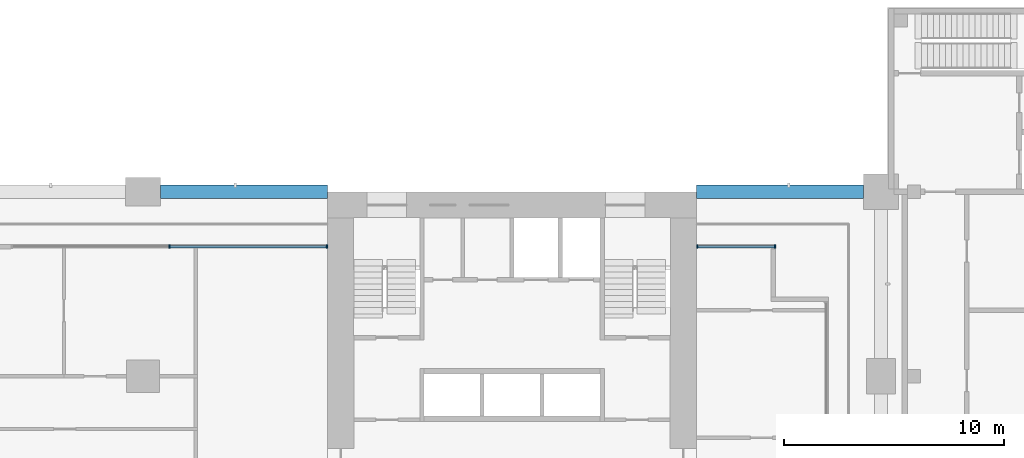
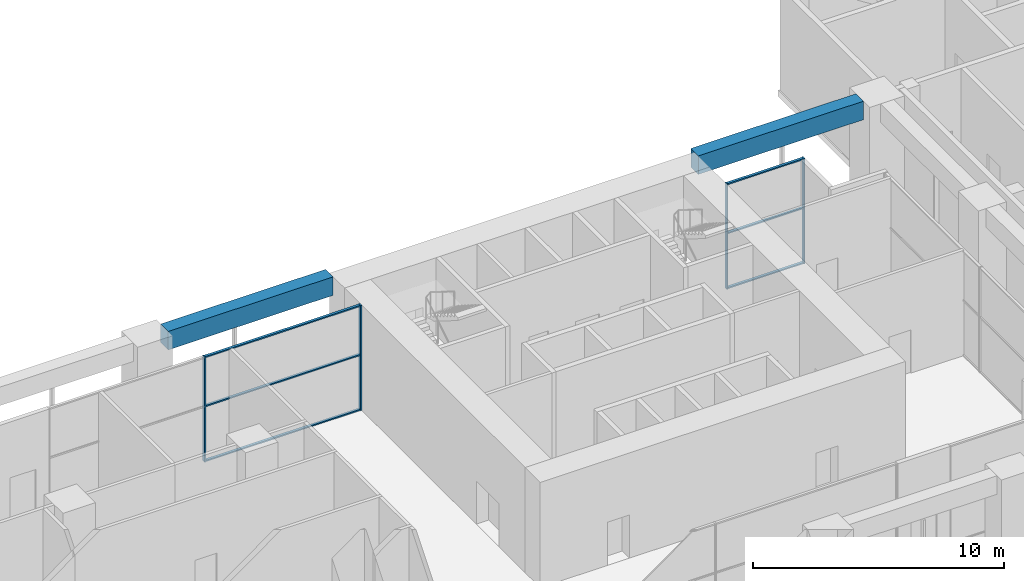
# One storey, part 8 of 32: 10 members, 2 beams, 2 elements without a shape of their own.
"""IFC4 building model written with IfcOpenShell, lengths in metres."""

from ifc_helpers import new_model, si_unit, direction, frame, origin, origin_2d, place, context, subcontext, project, spatial, rectangle, extrude, material, material_profile, profile_set, type_object, element, aggregate, save


model = new_model("IFC4")

# Units and contexts
model_context = context("Model", 3, precision=1e-05, world=origin(), true_north=direction((0.0, 1.0)))
body_context = subcontext(model_context, "Body", "Model", "MODEL_VIEW")
ifc_project = project(units=[si_unit("LENGTHUNIT", "METRE"), si_unit("AREAUNIT", "SQUARE_METRE"), si_unit("VOLUMEUNIT", "CUBIC_METRE"), si_unit("PLANEANGLEUNIT", "RADIAN"), si_unit("MASSUNIT", "GRAM", prefix="KILO")], contexts=[model_context])

# Site, building, storey
site_placement = place(None, origin())
site = spatial("IfcSite", under=ifc_project, at=site_placement, CompositionType="ELEMENT")
building_placement = place(site_placement, origin())
building = spatial("IfcBuilding", under=site, at=building_placement, Name="Vermilion Gate Residences", CompositionType="ELEMENT")
storey_placement = place(building_placement, frame((0.0, 0.0, 19.800048828125)))
storey = spatial("IfcBuildingStorey", under=building, at=storey_placement, Name="L03", CompositionType="ELEMENT", Elevation=19.800048828125)

# Curtain wall, members
ifc_material_1 = material(Name="Aluminium and glass", Category="aluminium")
curtain_wall_type = type_object("IfcCurtainWallType", Name="AMENITY GLAZING CURTAIN WALL", PredefinedType="NOTDEFINED", material=ifc_material_1)
curtain_wall_1_placement = place(storey_placement, origin())
curtain_wall_1 = element("IfcCurtainWall", 1, at=curtain_wall_1_placement, inside=storey, type_object=curtain_wall_type, Name="Amenity Glazing 120", PredefinedType="NOTDEFINED")
ifc_material_2 = material(Name="Aluminium", Category="aluminium")
ifc_material_profile_1 = material_profile(ifc_material_2, rectangle(XDim=0.159912109375, YDim=0.06005859375, at=origin_2d()), Name="MULLION 60 X 160")
ifc_profile_set_1 = profile_set([ifc_material_profile_1], Name="Aluminium")
member_type_1 = type_object("IfcMemberType", Name="AMENITY GLAZING MULLION 60 X 160", PredefinedType="MULLION", material=ifc_profile_set_1)
member_1_placement = place(storey_placement, frame((62.3701171875, 22.699951171875, 0.0), z_axis=(0.0, 0.0, 1.0), x_axis=(0.0, -1.0, 0.0)))
member_1 = element("IfcMember", 2, at=member_1_placement, type_object=member_type_1, Name="ECW2 mullion 1", PredefinedType="MULLION", context=body_context, shape_type="SweptSolid", body=[
    extrude(rectangle(XDim=0.159912109375, YDim=0.06005859375, at=origin_2d()), origin(), (0.0, 0.0, 1.0), 5.119873046875),
])
member_2_placement = place(storey_placement, frame((58.830078125, 22.699951171875, 0.0), z_axis=(0.0, 0.0, 1.0), x_axis=(0.0, -1.0, 0.0)))
member_2 = element("IfcMember", 3, at=member_2_placement, type_object=member_type_1, Name="ECW2 mullion 2", PredefinedType="MULLION", context=body_context, shape_type="SweptSolid", body=[
    extrude(rectangle(XDim=0.159912109375, YDim=0.06005859375, at=origin_2d()), origin(), (0.0, 0.0, 1.0), 5.119873046875),
])

curtain_wall_2_placement = place(storey_placement, origin())
curtain_wall_2 = element("IfcCurtainWall", 4, at=curtain_wall_2_placement, inside=storey, type_object=curtain_wall_type, Name="Amenity Glazing 130", PredefinedType="NOTDEFINED")
member_3_placement = place(storey_placement, frame((41.969970703125, 22.699951171875, 0.0), z_axis=(0.0, 0.0, 1.0), x_axis=(0.0, -1.0, 0.0)))
member_3 = element("IfcMember", 5, at=member_3_placement, type_object=member_type_1, Name="ECW2 mullion 1", PredefinedType="MULLION", context=body_context, shape_type="SweptSolid", body=[
    extrude(rectangle(XDim=0.159912109375, YDim=0.06005859375, at=origin_2d()), origin(), (0.0, 0.0, 1.0), 5.119873046875),
])
member_4_placement = place(storey_placement, frame((34.800048828125, 22.699951171875, 0.0), z_axis=(0.0, 0.0, 1.0), x_axis=(0.0, -1.0, 0.0)))
member_4 = element("IfcMember", 6, at=member_4_placement, type_object=member_type_1, Name="ECW2 mullion 2", PredefinedType="MULLION", context=body_context, shape_type="SweptSolid", body=[
    extrude(rectangle(XDim=0.159912109375, YDim=0.06005859375, at=origin_2d()), origin(), (0.0, 0.0, 1.0), 5.119873046875),
])

# Member
ifc_material_3 = material(Name="Aluminium", Category="aluminium")
ifc_material_profile_2 = material_profile(ifc_material_3, rectangle(XDim=0.1201171875, YDim=0.06005859375, at=origin_2d()), Name="TRANSOM 60 X 120")
ifc_profile_set_2 = profile_set([ifc_material_profile_2], Name="Aluminium")
member_type_2 = type_object("IfcMemberType", Name="AMENITY GLAZING TRANSOM 60 X 120", PredefinedType="MULLION", material=ifc_profile_set_2)
member_5_placement = place(storey_placement, frame((62.340087890625, 22.699951171875, 0.030029296875), z_axis=(-1.0, 0.0, 0.0), x_axis=(0.0, -1.0, 0.0)))
member_5 = element("IfcMember", 7, at=member_5_placement, type_object=member_type_2, Name="ECW2 transom 1.1", PredefinedType="MULLION", context=body_context, shape_type="SweptSolid", body=[
    extrude(rectangle(XDim=0.1201171875, YDim=0.06005859375, at=origin_2d()), origin(), (0.0, 0.0, 1.0), 3.47998046875),
])

member_6_placement = place(storey_placement, frame((62.340087890625, 22.699951171875, 2.699951171875), z_axis=(-1.0, 0.0, 0.0), x_axis=(0.0, -1.0, 0.0)))
member_6 = element("IfcMember", 8, at=member_6_placement, type_object=member_type_2, Name="ECW2 transom 1.2", PredefinedType="MULLION", context=body_context, shape_type="SweptSolid", body=[
    extrude(rectangle(XDim=0.1201171875, YDim=0.06005859375, at=origin_2d()), origin(), (0.0, 0.0, 1.0), 3.47998046875),
])

member_7_placement = place(storey_placement, frame((62.340087890625, 22.699951171875, 5.08984375), z_axis=(-1.0, 0.0, 0.0), x_axis=(0.0, -1.0, 0.0)))
member_7 = element("IfcMember", 9, at=member_7_placement, type_object=member_type_2, Name="ECW2 transom 1.3", PredefinedType="MULLION", context=body_context, shape_type="SweptSolid", body=[
    extrude(rectangle(XDim=0.1201171875, YDim=0.06005859375, at=origin_2d()), origin(), (0.0, 0.0, 1.0), 3.47998046875),
])

aggregate(curtain_wall_1, [member_1, member_2, member_5, member_6, member_7])

member_8_placement = place(storey_placement, frame((41.93994140625, 22.699951171875, 0.030029296875), z_axis=(-1.0, 0.0, 0.0), x_axis=(0.0, -1.0, 0.0)))
member_8 = element("IfcMember", 10, at=member_8_placement, type_object=member_type_2, Name="ECW2 transom 1.1", PredefinedType="MULLION", context=body_context, shape_type="SweptSolid", body=[
    extrude(rectangle(XDim=0.1201171875, YDim=0.06005859375, at=origin_2d()), origin(), (0.0, 0.0, 1.0), 7.10986328125),
])

member_9_placement = place(storey_placement, frame((41.93994140625, 22.699951171875, 2.699951171875), z_axis=(-1.0, 0.0, 0.0), x_axis=(0.0, -1.0, 0.0)))
member_9 = element("IfcMember", 11, at=member_9_placement, type_object=member_type_2, Name="ECW2 transom 1.2", PredefinedType="MULLION", context=body_context, shape_type="SweptSolid", body=[
    extrude(rectangle(XDim=0.1201171875, YDim=0.06005859375, at=origin_2d()), origin(), (0.0, 0.0, 1.0), 7.10986328125),
])

member_10_placement = place(storey_placement, frame((41.93994140625, 22.699951171875, 5.08984375), z_axis=(-1.0, 0.0, 0.0), x_axis=(0.0, -1.0, 0.0)))
member_10 = element("IfcMember", 12, at=member_10_placement, type_object=member_type_2, Name="ECW2 transom 1.3", PredefinedType="MULLION", context=body_context, shape_type="SweptSolid", body=[
    extrude(rectangle(XDim=0.1201171875, YDim=0.06005859375, at=origin_2d()), origin(), (0.0, 0.0, 1.0), 7.10986328125),
])

aggregate(curtain_wall_2, [member_3, member_4, member_8, member_9, member_10])

# Beams
ifc_material_4 = material(Name="Concrete C60 red-oxide pigmented", Category="concrete")
ifc_material_profile_3 = material_profile(ifc_material_4, rectangle(XDim=0.60009765625, YDim=0.89990234375, at=origin_2d()), Name="RC-600x900")
ifc_profile_set_3 = profile_set([ifc_material_profile_3], Name="Concrete C60 red-oxide pigmented")
beam_type = type_object("IfcBeamType", Name="RC EDGE BEAM 600 X 900 C60", PredefinedType="BEAM", material=ifc_profile_set_3)
beam_1_placement = place(storey_placement, frame((34.39990234375, 25.199951171875, 4.669921875), z_axis=(1.0, 0.0, 0.0), x_axis=(0.0, 1.0, 0.0)))
element("IfcBeam", 13, at=beam_1_placement, inside=storey, type_object=beam_type, Name="Edge beam L03 17", PredefinedType="BEAM", context=body_context, shape_type="SweptSolid", body=[
    extrude(rectangle(XDim=0.60009765625, YDim=0.89990234375, at=origin_2d()), origin(), (0.0, 0.0, 1.0), 7.60009765625),
])
beam_2_placement = place(storey_placement, frame((58.800048828125, 25.199951171875, 4.669921875), z_axis=(1.0, 0.0, 0.0), x_axis=(0.0, 1.0, 0.0)))
element("IfcBeam", 14, at=beam_2_placement, inside=storey, type_object=beam_type, Name="Edge beam L03 24", PredefinedType="BEAM", context=body_context, shape_type="SweptSolid", body=[
    extrude(rectangle(XDim=0.60009765625, YDim=0.89990234375, at=origin_2d()), origin(), (0.0, 0.0, 1.0), 7.599853515625),
])

save(model, "model.ifc")
